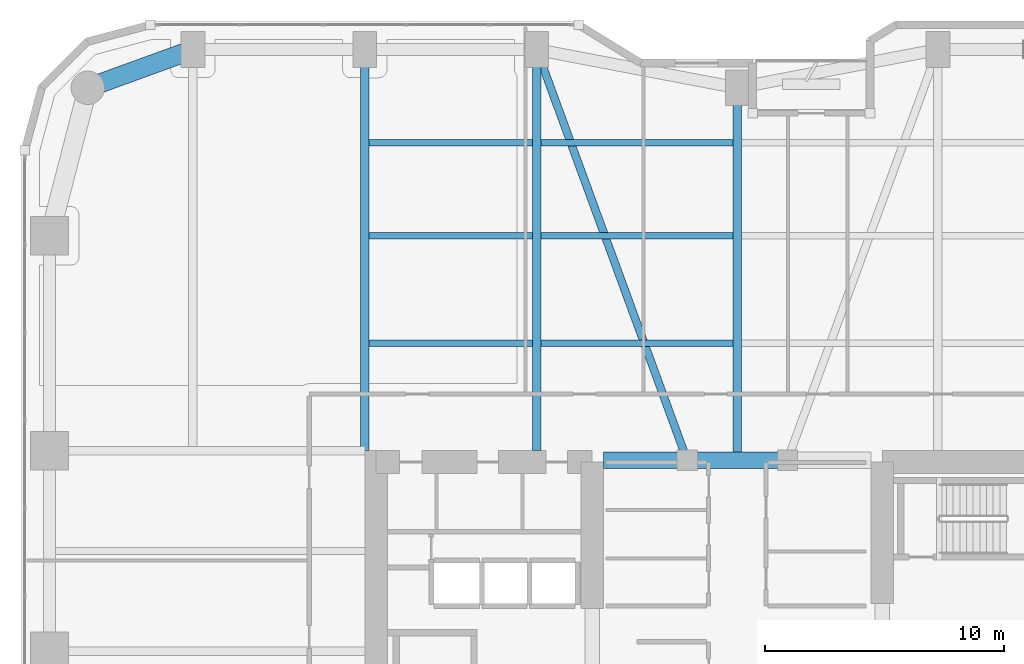
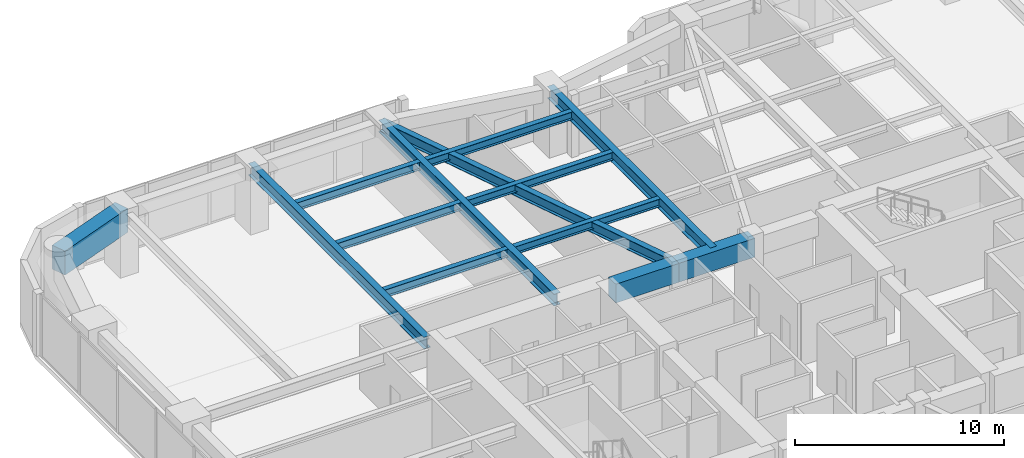
# One storey, part 15 of 28: 13 beams.
"""IFC4 building model written with IfcOpenShell, lengths in metres."""

import ifcopenshell
import ifcopenshell.guid

model = None  # the IFC model being written
_history = None  # IfcOwnerHistory: only IFC2X3 demands one
_inside = {}  # id of a spatial element -> (the spatial element, [elements in it])
_under = {}  # id of a project, library or spatial element -> (it, [spatial elements below it])
_declared = {}  # id of a project -> (the project, [libraries it declares])
_typed = {}  # id of a type object -> (the type object, [elements of that type])
_made_of = {}  # id of a material, layer set ... -> (it, [elements and type objects made of it])


def new_model(schema):
    """Start an empty IFC model of exactly this schema.

    Asked for "IFC4X3", IfcOpenShell would pick the latest addendum, in which some entities
    have other attributes; the version numbers below select the first issue.
    IFC2X3 requires an IfcOwnerHistory on every rooted entity: one is made here for all.
    """
    global model, _history
    if schema == "IFC4X3":
        model = ifcopenshell.file(schema_version=(4, 3, 0, 0))
    else:
        model = ifcopenshell.file(schema=schema)
    _inside.clear()
    _under.clear()
    _declared.clear()
    _typed.clear()
    _made_of.clear()
    _history = None
    if model.schema == "IFC2X3":
        org = make("IfcOrganization", Name="unknown")
        user = make(
            "IfcPersonAndOrganization",
            ThePerson=make("IfcPerson", FamilyName="unknown"),
            TheOrganization=org,
        )
        app = make(
            "IfcApplication",
            ApplicationDeveloper=org,
            Version="unknown",
            ApplicationFullName="unknown",
            ApplicationIdentifier="unknown",
        )
        _history = make(
            "IfcOwnerHistory",
            OwningUser=user,
            OwningApplication=app,
            ChangeAction="ADDED",
            CreationDate=0,
        )
    return model


def make(cls, **values):
    """One entity of the class cls with the attributes given. An attribute that is None is left unset."""
    return model.create_entity(
        cls, **{name: value for name, value in values.items() if value is not None}
    )


def rooted(cls, **values):
    """An entity with a GlobalId (a new one), such as an element, a storey or a relation."""
    return make(cls, GlobalId=ifcopenshell.guid.new(), OwnerHistory=_history, **values)


def si_unit(unit_type, name, prefix=None):
    """IfcSIUnit, for example si_unit("LENGTHUNIT", "METRE", prefix="MILLI")."""
    return make("IfcSIUnit", UnitType=unit_type, Prefix=prefix, Name=name)


def assignment(units):
    """IfcUnitAssignment: the units of a project."""
    return None if units is None else make("IfcUnitAssignment", Units=units)


def point(xyz):
    """IfcCartesianPoint."""
    return None if xyz is None else make("IfcCartesianPoint", Coordinates=xyz)


def direction(xyz):
    """IfcDirection."""
    return None if xyz is None else make("IfcDirection", DirectionRatios=xyz)


def frame(location, z_axis=None, x_axis=None):
    """IfcAxis2Placement3D, a coordinate frame: its origin and axes. An axis left out is left unset."""
    return make(
        "IfcAxis2Placement3D",
        Location=point(location),
        Axis=direction(z_axis),
        RefDirection=direction(x_axis),
    )


def frame_2d(location, x_axis=None):
    """IfcAxis2Placement2D, a coordinate frame in the plane: its origin and x axis."""
    return make(
        "IfcAxis2Placement2D", Location=point(location), RefDirection=direction(x_axis)
    )


def origin():
    """The frame at (0, 0, 0) with its axes left unset."""
    return frame((0.0, 0.0, 0.0))


def origin_2d():
    """The frame at (0, 0) in the plane with its x axis left unset."""
    return frame_2d((0.0, 0.0))


def place(relative_to, where):
    """IfcLocalPlacement: puts the frame where relative to a parent placement (None: the world)."""
    return make(
        "IfcLocalPlacement", PlacementRelTo=relative_to, RelativePlacement=where
    )


def context(
    kind, dimensions, precision=None, world=None, true_north=None, identifier=None
):
    """IfcGeometricRepresentationContext, for example the 3D "Model" context."""
    return make(
        "IfcGeometricRepresentationContext",
        ContextIdentifier=identifier,
        ContextType=kind,
        CoordinateSpaceDimension=dimensions,
        Precision=precision,
        WorldCoordinateSystem=world,
        TrueNorth=true_north,
    )


def subcontext(parent, identifier, kind, view, scale=None):
    """IfcGeometricRepresentationSubContext, for example "Body" below "Model"."""
    return make(
        "IfcGeometricRepresentationSubContext",
        ContextIdentifier=identifier,
        ContextType=kind,
        ParentContext=parent,
        TargetScale=scale,
        TargetView=view,
    )


def project(units=None, contexts=None):
    """IfcProject with its units and contexts."""
    return rooted(
        "IfcProject",
        Name="project",
        RepresentationContexts=contexts,
        UnitsInContext=assignment(units),
    )


def spatial(cls, under=None, at=None, **own):
    """A site, building, storey or space (cls), placed at a placement, below another one or the project."""
    s = rooted(cls, ObjectPlacement=at, **own)
    if under is not None:
        _under.setdefault(under.id(), (under, []))[1].append(s)
    return s


def profile(cls, at=None, kind="AREA", **sizes):
    """A parametric profile (cls). Its sizes go by their IFC names, for example OverallWidth=200.0."""
    return make(cls, ProfileType=kind, Position=at, **sizes)


def rectangle(**sizes):
    """IfcRectangleProfileDef."""
    return profile("IfcRectangleProfileDef", **sizes)


def i_section(**sizes):
    """IfcIShapeProfileDef."""
    return profile("IfcIShapeProfileDef", **sizes)


def extrude(swept, where, along, depth):
    """IfcExtrudedAreaSolid: the profile swept, set in the frame where, extruded along a direction by depth."""
    return make(
        "IfcExtrudedAreaSolid",
        SweptArea=swept,
        Position=where,
        ExtrudedDirection=direction(along),
        Depth=depth,
    )


def shape(context_of_items, identifier, shape_type, items):
    """IfcShapeRepresentation: the items that make up one representation, for example the "Body"."""
    return make(
        "IfcShapeRepresentation",
        ContextOfItems=context_of_items,
        RepresentationIdentifier=identifier,
        RepresentationType=shape_type,
        Items=items,
    )


def material(Name=None, Category=None):
    """IfcMaterial."""
    return make("IfcMaterial", Name=Name, Category=Category)


def material_profile(
    of_material, cross_section, Name=None, Category=None, Priority=None
):
    """IfcMaterialProfile: a cross section and its material."""
    return make(
        "IfcMaterialProfile",
        Name=Name,
        Material=of_material,
        Profile=cross_section,
        Priority=Priority,
        Category=Category,
    )


def profile_set(profiles, Name=None, composite=None):
    """IfcMaterialProfileSet."""
    return make(
        "IfcMaterialProfileSet",
        Name=Name,
        MaterialProfiles=profiles,
        CompositeProfile=composite,
    )


def made_of(thing, what):
    """Note that an element or type object is made of a material, layer set ...; save() writes the relation."""
    if what is not None:
        _made_of.setdefault(what.id(), (what, []))[1].append(thing)
    return thing


def type_object(cls, material=None, **own):
    """A type object (cls), such as IfcWallType, which elements share."""
    return made_of(rooted(cls, **own), material)


def element(
    cls,
    number,
    at=None,
    inside=None,
    cuts=None,
    type_object=None,
    material=None,
    context=None,
    identifier="Body",
    shape_type=None,
    held_by="IfcProductDefinitionShape",
    body=None,
    shapes=None,
    **own,
):
    """One element of the class cls, such as IfcWall. Its Tag is "e" and its number.

    at: its placement. inside: the storey or other place that contains it. cuts: it is an
    opening in that element (IfcRelVoidsElement). A single representation is given by context,
    identifier, shape_type and body (its items); several are given by shapes. held_by: the class
    of the entity that holds the representations. save() writes the other relations.
    """
    e = rooted(cls, Tag="e%d" % number, ObjectPlacement=at, **own)
    if body is not None:
        shapes = [shape(context, identifier, shape_type, body)]
    if shapes is not None:
        e.Representation = make(held_by, Representations=shapes)
    if inside is not None:
        _inside.setdefault(inside.id(), (inside, []))[1].append(e)
    if cuts is not None:
        rooted(
            "IfcRelVoidsElement", RelatingBuildingElement=cuts, RelatedOpeningElement=e
        )
    if type_object is not None:
        _typed.setdefault(type_object.id(), (type_object, []))[1].append(e)
    return made_of(e, material)


def aggregate(whole, parts):
    """IfcRelAggregates: a whole, such as a stair, and the parts it consists of."""
    return rooted("IfcRelAggregates", RelatingObject=whole, RelatedObjects=parts)


def save(model, path):
    """Write the relations noted so far, then the file.

    IfcRelAggregates (storeys below a building ...), IfcRelContainedInSpatialStructure (elements
    in a storey), IfcRelDefinesByType, IfcRelAssociatesMaterial and IfcRelDeclares: one each for
    every whole, place, type object, material and project.
    """
    for whole, parts in _under.values():
        aggregate(whole, parts)
    for where, things in _inside.values():
        rooted(
            "IfcRelContainedInSpatialStructure",
            RelatedElements=things,
            RelatingStructure=where,
        )
    for kind, things in _typed.values():
        rooted("IfcRelDefinesByType", RelatedObjects=things, RelatingType=kind)
    for what, things in _made_of.values():
        rooted("IfcRelAssociatesMaterial", RelatedObjects=things, RelatingMaterial=what)
    for by, libraries in _declared.values():
        rooted("IfcRelDeclares", RelatingContext=by, RelatedDefinitions=libraries)
    model.write(path)


model = new_model("IFC4")

# Units and contexts
model_context = context("Model", 3, precision=1e-05, world=origin(), true_north=direction((0.0, 1.0)))
body_context = subcontext(model_context, "Body", "Model", "MODEL_VIEW")
ifc_project = project(units=[si_unit("LENGTHUNIT", "METRE"), si_unit("AREAUNIT", "SQUARE_METRE"), si_unit("VOLUMEUNIT", "CUBIC_METRE"), si_unit("PLANEANGLEUNIT", "RADIAN"), si_unit("MASSUNIT", "GRAM", prefix="KILO")], contexts=[model_context])

# Site, building, storey
site_placement = place(None, origin())
site = spatial("IfcSite", under=ifc_project, at=site_placement, CompositionType="ELEMENT")
building_placement = place(site_placement, origin())
building = spatial("IfcBuilding", under=site, at=building_placement, Name="Kiyonajd Concourse Tower", CompositionType="ELEMENT")
storey_placement = place(building_placement, frame((0.0, 0.0, 33.300048828125)))
storey = spatial("IfcBuildingStorey", under=building, at=storey_placement, Name="L09", CompositionType="ELEMENT", Elevation=33.300048828125)

# Beams
ifc_material_1 = material(Name="Concrete C70/85", Category="concrete")
ifc_material_profile_1 = material_profile(ifc_material_1, rectangle(XDim=0.699951171875, YDim=1.10009765625, at=origin_2d()), Name="RCBM-700x1100")
ifc_profile_set_1 = profile_set([ifc_material_profile_1], Name="Concrete C70/85")
beam_type_1 = type_object("IfcBeamType", Name="BM-COUP-1100", PredefinedType="LINTEL", material=ifc_profile_set_1)
beam_1_placement = place(storey_placement, frame((42.39990234375, 44.0, 3.08984375), z_axis=(1.0, 0.0, 0.0), x_axis=(0.0, 1.0, 0.0)))
element("IfcBeam", 1, at=beam_1_placement, inside=storey, type_object=beam_type_1, Name="L09 Core Coupling Beam N1", PredefinedType="LINTEL", context=body_context, shape_type="SweptSolid", body=[
    extrude(rectangle(XDim=0.699951171875, YDim=1.10009765625, at=origin_2d()), origin(), (0.0, 0.0, 1.0), 3.5),
])
beam_2_placement = place(storey_placement, frame((45.89990234375, 44.0, 3.08984375), z_axis=(1.0, 0.0, 0.0), x_axis=(0.0, 1.0, 0.0)))
element("IfcBeam", 2, at=beam_2_placement, inside=storey, type_object=beam_type_1, Name="L09 Core Coupling Beam N2", PredefinedType="LINTEL", context=body_context, shape_type="SweptSolid", body=[
    extrude(rectangle(XDim=0.699951171875, YDim=1.10009765625, at=origin_2d()), origin(), (0.0, 0.0, 1.0), 4.2001953125),
])
ifc_material_2 = material(Name="Steel ASTM A992 Grade 50", Category="steel")
ifc_material_profile_2 = material_profile(ifc_material_2, i_section(OverallWidth=0.280029296875, OverallDepth=0.462890625, WebThickness=0.0107421875, FlangeThickness=0.017333984375, at=origin_2d()), Name="W460X113")
ifc_profile_set_2 = profile_set([ifc_material_profile_2], Name="Steel ASTM A992 Grade 50")
beam_type_2 = type_object("IfcBeamType", Name="BM-JST-460A", PredefinedType="JOIST", material=ifc_profile_set_2)
beam_3_placement = place(storey_placement, frame((32.577392578125, 48.89990234375, 3.408447265625), z_axis=(1.0, 0.0, 0.0), x_axis=(0.0, 1.0, 0.0)))
element("IfcBeam", 3, at=beam_3_placement, inside=storey, type_object=beam_type_2, Name="L09 Secondary Floor Joist", PredefinedType="JOIST", context=body_context, shape_type="SweptSolid", body=[
    extrude(i_section(OverallWidth=0.280029296875, OverallDepth=0.462890625, WebThickness=0.0107421875, FlangeThickness=0.017333984375, at=origin_2d()), origin(), (0.0, 0.0, 1.0), 6.84521484375),
])
beam_4_placement = place(storey_placement, frame((39.777587890625, 48.89990234375, 3.408447265625), z_axis=(1.0, 0.0, 0.0), x_axis=(0.0, 1.0, 0.0)))
element("IfcBeam", 4, at=beam_4_placement, inside=storey, type_object=beam_type_2, Name="L09 Secondary Floor Joist", PredefinedType="JOIST", context=body_context, shape_type="SweptSolid", body=[
    extrude(i_section(OverallWidth=0.280029296875, OverallDepth=0.462890625, WebThickness=0.0107421875, FlangeThickness=0.017333984375, at=origin_2d()), origin(), (0.0, 0.0, 1.0), 8.044921875),
])
beam_5_placement = place(storey_placement, frame((32.577392578125, 53.39990234375, 3.408447265625), z_axis=(1.0, 0.0, 0.0), x_axis=(0.0, 1.0, 0.0)))
element("IfcBeam", 5, at=beam_5_placement, inside=storey, type_object=beam_type_2, Name="L09 Secondary Floor Joist", PredefinedType="JOIST", context=body_context, shape_type="SweptSolid", body=[
    extrude(i_section(OverallWidth=0.280029296875, OverallDepth=0.462890625, WebThickness=0.0107421875, FlangeThickness=0.017333984375, at=origin_2d()), origin(), (0.0, 0.0, 1.0), 6.84521484375),
])
beam_6_placement = place(storey_placement, frame((39.777587890625, 53.39990234375, 3.408447265625), z_axis=(1.0, 0.0, 0.0), x_axis=(0.0, 1.0, 0.0)))
element("IfcBeam", 6, at=beam_6_placement, inside=storey, type_object=beam_type_2, Name="L09 Secondary Floor Joist", PredefinedType="JOIST", context=body_context, shape_type="SweptSolid", body=[
    extrude(i_section(OverallWidth=0.280029296875, OverallDepth=0.462890625, WebThickness=0.0107421875, FlangeThickness=0.017333984375, at=origin_2d()), origin(), (0.0, 0.0, 1.0), 8.044921875),
])
beam_7_placement = place(storey_placement, frame((32.577392578125, 57.300048828125, 3.408447265625), z_axis=(1.0, 0.0, 0.0), x_axis=(0.0, 1.0, 0.0)))
element("IfcBeam", 7, at=beam_7_placement, inside=storey, type_object=beam_type_2, Name="L09 Secondary Floor Joist", PredefinedType="JOIST", context=body_context, shape_type="SweptSolid", body=[
    extrude(i_section(OverallWidth=0.280029296875, OverallDepth=0.462890625, WebThickness=0.0107421875, FlangeThickness=0.017333984375, at=origin_2d()), origin(), (0.0, 0.0, 1.0), 6.84521484375),
])
beam_8_placement = place(storey_placement, frame((39.777587890625, 57.300048828125, 3.408447265625), z_axis=(1.0, 0.0, 0.0), x_axis=(0.0, 1.0, 0.0)))
element("IfcBeam", 8, at=beam_8_placement, inside=storey, type_object=beam_type_2, Name="L09 Secondary Floor Joist", PredefinedType="JOIST", context=body_context, shape_type="SweptSolid", body=[
    extrude(i_section(OverallWidth=0.280029296875, OverallDepth=0.462890625, WebThickness=0.0107421875, FlangeThickness=0.017333984375, at=origin_2d()), origin(), (0.0, 0.0, 1.0), 8.044921875),
])
ifc_material_profile_3 = material_profile(ifc_material_2, i_section(OverallWidth=0.326904296875, OverallDepth=0.6220703125, WebThickness=0.015380859375, FlangeThickness=0.0244140625, at=origin_2d()), Name="W610X195")
ifc_profile_set_3 = profile_set([ifc_material_profile_3], Name="Steel ASTM A992 Grade 50")
beam_type_3 = type_object("IfcBeamType", Name="BM-TWR-610A", PredefinedType="BEAM", material=ifc_profile_set_3)
beam_9_placement = place(storey_placement, frame((39.60009765625, 61.199951171875, 3.328857421875), z_axis=(0.343925269715, -0.938997022813, 0.0), x_axis=(0.938997022813, 0.343925269715, 0.0)))
element("IfcBeam", 9, at=beam_9_placement, inside=storey, type_object=beam_type_3, Name="L09 Core Tie Girder", PredefinedType="BEAM", context=body_context, shape_type="SweptSolid", body=[
    extrude(i_section(OverallWidth=0.326904296875, OverallDepth=0.6220703125, WebThickness=0.015380859375, FlangeThickness=0.0244140625, at=origin_2d()), origin(), (0.0, 0.0, 1.0), 18.3173828125),
])
ifc_material_profile_4 = material_profile(ifc_material_2, i_section(OverallWidth=0.35498046875, OverallDepth=0.695068359375, WebThickness=0.015380859375, FlangeThickness=0.02490234375, at=origin_2d()), Name="W690X217")
ifc_profile_set_4 = profile_set([ifc_material_profile_4], Name="Steel ASTM A992 Grade 50")
beam_type_4 = type_object("IfcBeamType", Name="BM-TWR-690", PredefinedType="BEAM", material=ifc_profile_set_4)
for number, where, z_axis, x_axis, name in (
    (10, (32.39990234375, 44.39990234375, 3.29248046875), (0.0, 1.0, 0.0), (-1.0, 0.0, 0.0), "L09 North Lease Girder"),
    (11, (39.60009765625, 44.39990234375, 3.29248046875), (0.0, 1.0, 0.0), (-1.0, 0.0, 0.0), "L09 North Lease Girder"),
):
    element("IfcBeam", number, at=place(storey_placement, frame(where, z_axis=z_axis, x_axis=x_axis)), inside=storey, type_object=beam_type_4, Name=name, PredefinedType="BEAM", context=body_context, shape_type="SweptSolid", body=[
        extrude(i_section(OverallWidth=0.35498046875, OverallDepth=0.695068359375, WebThickness=0.015380859375, FlangeThickness=0.02490234375, at=origin_2d()), origin(), (0.0, 0.0, 1.0), 16.800048828125),
    ])
beam_10_placement = place(storey_placement, frame((48.0, 44.0, 3.29248046875), z_axis=(0.0, 1.0, 0.0), x_axis=(-1.0, 0.0, 0.0)))
element("IfcBeam", 12, at=beam_10_placement, inside=storey, type_object=beam_type_4, Name="L09 North Ribbon Girder", PredefinedType="BEAM", context=body_context, shape_type="SweptSolid", body=[
    extrude(i_section(OverallWidth=0.35498046875, OverallDepth=0.695068359375, WebThickness=0.015380859375, FlangeThickness=0.02490234375, at=origin_2d()), origin(), (0.0, 0.0, 1.0), 15.60009765625),
])
ifc_material_3 = material(Name="Concrete C60/75", Category="concrete")
ifc_material_profile_5 = material_profile(ifc_material_3, rectangle(XDim=0.800048828125, YDim=1.39990234375, at=origin_2d()), Name="RCBM-800x1400")
ifc_profile_set_5 = profile_set([ifc_material_profile_5], Name="Concrete C60/75")
beam_type_5 = type_object("IfcBeamType", Name="BM-XFER-RC", PredefinedType="BEAM", material=ifc_profile_set_5)
beam_11_placement = place(storey_placement, frame((25.199951171875, 61.199951171875, 2.93994140625), z_axis=(-0.939801036019, -0.341722127901, 0.0), x_axis=(0.341722127901, -0.939801036019, 0.0)))
element("IfcBeam", 13, at=beam_11_placement, inside=storey, type_object=beam_type_5, Name="L09 Perimeter Bundled Tube Spandrel", PredefinedType="BEAM", context=body_context, shape_type="SweptSolid", body=[
    extrude(rectangle(XDim=0.800048828125, YDim=1.39990234375, at=origin_2d()), origin(), (0.0, 0.0, 1.0), 4.681640625),
])

save(model, "model.ifc")
